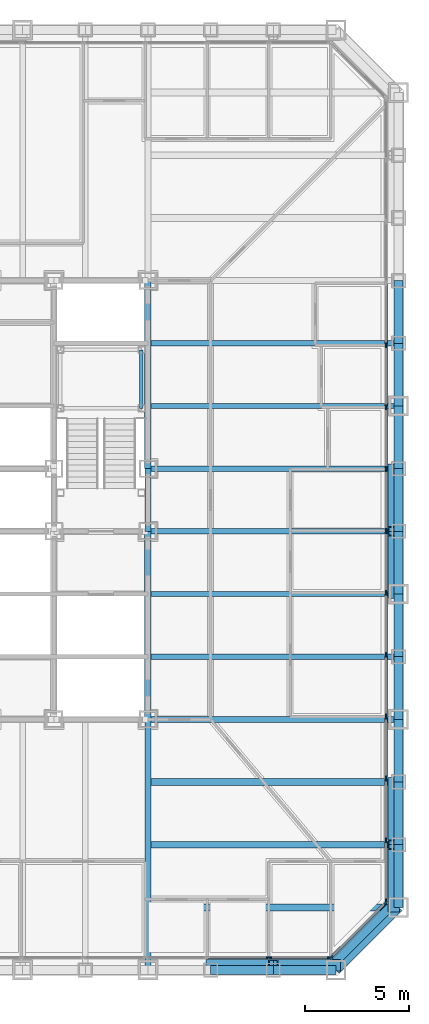
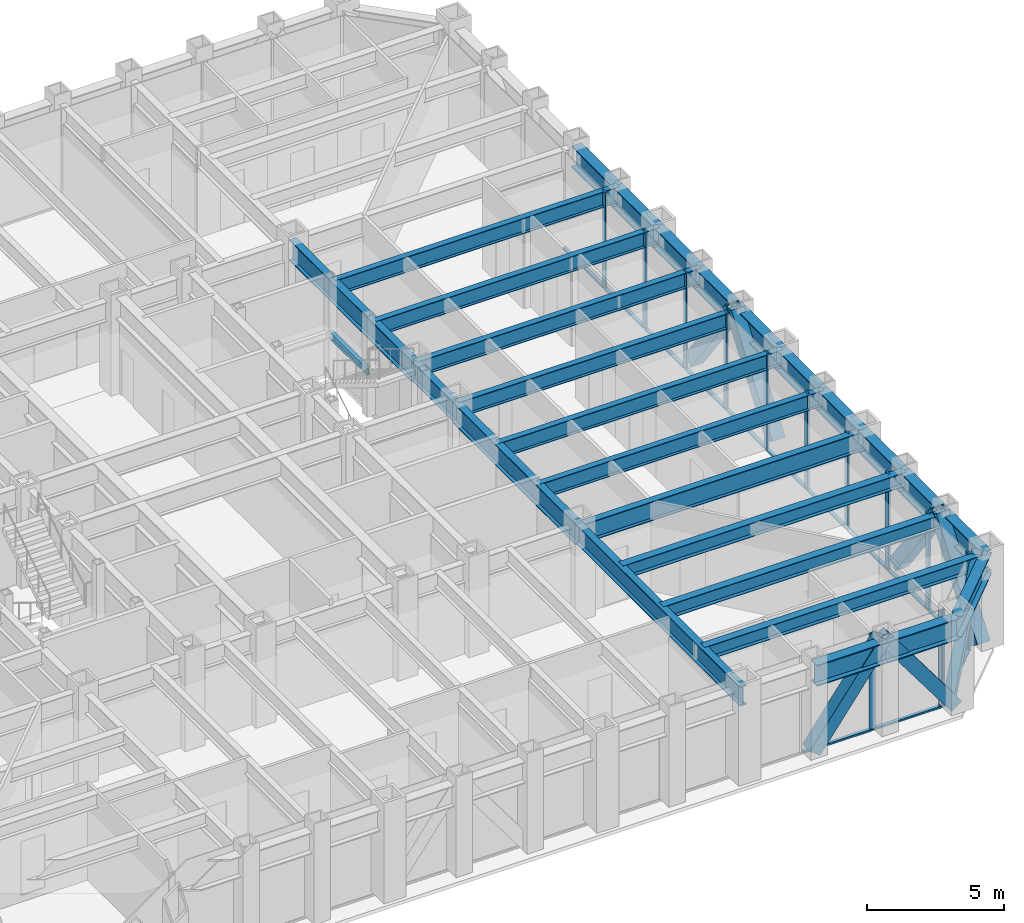
# One storey, part 4 of 16: 34 members, 28 beams, 3 elements without a shape of their own.
"""IFC4 building model written with IfcOpenShell, lengths in metres."""

from ifc_helpers import new_model, si_unit, direction, frame, origin, origin_2d, place, context, subcontext, project, spatial, rectangle, hollow_rectangle, i_section, extrude, material, layer, layer_set, material_profile, profile_set, type_object, element, aggregate, save


model = new_model("IFC4")

# Units and contexts
model_context = context("Model", 3, precision=1e-05, world=origin(), true_north=direction((0.0, 1.0)))
body_context = subcontext(model_context, "Body", "Model", "MODEL_VIEW")
ifc_project = project(units=[si_unit("LENGTHUNIT", "METRE"), si_unit("AREAUNIT", "SQUARE_METRE"), si_unit("VOLUMEUNIT", "CUBIC_METRE"), si_unit("PLANEANGLEUNIT", "RADIAN"), si_unit("MASSUNIT", "GRAM", prefix="KILO")], contexts=[model_context])

# Site, building, storey
site_placement = place(None, origin())
site = spatial("IfcSite", under=ifc_project, at=site_placement, CompositionType="ELEMENT")
building_placement = place(site_placement, origin())
building = spatial("IfcBuilding", under=site, at=building_placement, Name="Chuquiago Exchange Tower", CompositionType="ELEMENT")
storey_placement = place(building_placement, frame((0.0, 0.0, 33.300048828125)))
storey = spatial("IfcBuildingStorey", under=building, at=storey_placement, Name="L06", CompositionType="ELEMENT", Elevation=33.300048828125)

# Beams
ifc_material_1 = material(Name="Steel ASTM A992", Category="steel")
ifc_material_profile_1 = material_profile(ifc_material_1, i_section(OverallWidth=0.307373046875, OverallDepth=0.927001953125, WebThickness=0.01953125, FlangeThickness=0.031982421875, at=origin_2d()), Name="W36X194")
ifc_profile_set_1 = profile_set([ifc_material_profile_1], Name="Steel ASTM A992")
beam_type_1 = type_object("IfcBeamType", Name="B10 W36X194", PredefinedType="BEAM", material=ifc_profile_set_1)
for number, where, z_axis, x_axis, name in (
    (1, (33.0, 12.0, 3.576416015625), (0.0, 1.0, 0.0), (-1.0, 0.0, 0.0), "CB-L07-33_12-33_21"),
    (2, (33.0, 24.0, 3.576416015625), (0.0, 1.0, 0.0), (-1.0, 0.0, 0.0), "CB-L07-33_24-33_33"),
):
    element("IfcBeam", number, at=place(storey_placement, frame(where, z_axis=z_axis, x_axis=x_axis)), inside=storey, type_object=beam_type_1, Name=name, PredefinedType="BEAM", context=body_context, shape_type="SweptSolid", body=[
        extrude(i_section(OverallWidth=0.307373046875, OverallDepth=0.927001953125, WebThickness=0.01953125, FlangeThickness=0.031982421875, at=origin_2d()), origin(), (0.0, 0.0, 1.0), 9.0),
    ])
ifc_material_2 = material(Name="Steel ASTM A992", Category="steel")
ifc_material_profile_2 = material_profile(ifc_material_2, i_section(OverallWidth=0.2919921875, OverallDepth=0.8583984375, WebThickness=0.01708984375, FlangeThickness=0.031005859375, at=origin_2d()), Name="W33X169")
ifc_profile_set_2 = profile_set([ifc_material_profile_2], Name="Steel ASTM A992")
beam_type_2 = type_object("IfcBeamType", Name="B3 W33X169", PredefinedType="BEAM", material=ifc_profile_set_2)
beam_1_placement = place(storey_placement, frame((33.0, 21.0, 3.610595703125), z_axis=(0.0, 1.0, 0.0), x_axis=(-1.0, 0.0, 0.0)))
element("IfcBeam", 3, at=beam_1_placement, inside=storey, type_object=beam_type_2, Name="CB-L07-33_21-33_24", PredefinedType="BEAM", context=body_context, shape_type="SweptSolid", body=[
    extrude(i_section(OverallWidth=0.2919921875, OverallDepth=0.8583984375, WebThickness=0.01708984375, FlangeThickness=0.031005859375, at=origin_2d()), origin(), (0.0, 0.0, 1.0), 3.0),
])
ifc_material_3 = material(Name="Steel ASTM A992", Category="steel")
ifc_material_profile_3 = material_profile(ifc_material_3, i_section(OverallWidth=0.256591796875, OverallDepth=0.693359375, WebThickness=0.014404296875, FlangeThickness=0.023681640625, at=origin_2d()), Name="W27X114")
ifc_profile_set_3 = profile_set([ifc_material_profile_3], Name="Steel ASTM A992")
beam_type_3 = type_object("IfcBeamType", Name="B4 W27X114", PredefinedType="BEAM", material=ifc_profile_set_3)
for number, where, z_axis, x_axis, name in (
    (4, (33.0, 15.0, 3.693359375), (1.0, 0.0, 0.0), (0.0, 1.0, 0.0), "FB-L07-infill-33_15-45_15-0"),
    (5, (33.0, 18.0, 3.693359375), (1.0, 0.0, 0.0), (0.0, 1.0, 0.0), "FB-L07-infill-33_18-45_18-0"),
    (6, (33.0, 21.0, 3.693359375), (1.0, 0.0, 0.0), (0.0, 1.0, 0.0), "FB-L07-infill-33_21-45_21-0"),
    (7, (33.0, 24.0, 3.693359375), (1.0, 0.0, 0.0), (0.0, 1.0, 0.0), "FB-L07-infill-33_24-45_24-0"),
    (8, (33.0, 27.0, 3.693359375), (1.0, 0.0, 0.0), (0.0, 1.0, 0.0), "FB-L07-infill-33_27-45_27-0"),
    (9, (33.0, 30.0, 3.693359375), (1.0, 0.0, 0.0), (0.0, 1.0, 0.0), "FB-L07-infill-33_30-45_30-0"),
):
    element("IfcBeam", number, at=place(storey_placement, frame(where, z_axis=z_axis, x_axis=x_axis)), inside=storey, type_object=beam_type_3, Name=name, PredefinedType="BEAM", context=body_context, shape_type="SweptSolid", body=[
        extrude(i_section(OverallWidth=0.256591796875, OverallDepth=0.693359375, WebThickness=0.014404296875, FlangeThickness=0.023681640625, at=origin_2d()), origin(), (0.0, 0.0, 1.0), 12.0),
    ])
ifc_material_4 = material(Name="Steel ASTM A992", Category="steel")
ifc_material_profile_4 = material_profile(ifc_material_4, i_section(OverallWidth=0.3251953125, OverallDepth=0.6171875, WebThickness=0.013916015625, FlangeThickness=0.021484375, at=origin_2d()), Name="W24X117")
ifc_profile_set_4 = profile_set([ifc_material_profile_4], Name="Steel ASTM A992")
beam_type_4 = type_object("IfcBeamType", Name="B5 W24X117", PredefinedType="BEAM", material=ifc_profile_set_4)
for number, where, z_axis, x_axis, name in (
    (10, (33.0, 3.0, 3.7314453125), (1.0, 0.0, 0.0), (0.0, 1.0, 0.0), "FB-L07-corner-33_3-45_3-0"),
    (11, (33.0, 6.0, 3.7314453125), (1.0, 0.0, 0.0), (0.0, 1.0, 0.0), "FB-L07-corner-33_6-45_6-0"),
    (12, (33.0, 9.0, 3.7314453125), (1.0, 0.0, 0.0), (0.0, 1.0, 0.0), "FB-L07-corner-33_9-45_9-0"),
):
    element("IfcBeam", number, at=place(storey_placement, frame(where, z_axis=z_axis, x_axis=x_axis)), inside=storey, type_object=beam_type_4, Name=name, PredefinedType="BEAM", context=body_context, shape_type="SweptSolid", body=[
        extrude(i_section(OverallWidth=0.3251953125, OverallDepth=0.6171875, WebThickness=0.013916015625, FlangeThickness=0.021484375, at=origin_2d()), origin(), (0.0, 0.0, 1.0), 12.0),
    ])

# Curtain wall, members
ifc_material_5 = material(Name="Aluminium curtain wall system", Category="aluminium")
ifc_layer_1 = layer(ifc_material_5, 0.25)
ifc_layer_set_1 = layer_set([ifc_layer_1], Name="CW1 trading floor curtain wall")
curtain_wall_type_1 = type_object("IfcCurtainWallType", Name="CW1 trading floor curtain wall", PredefinedType="NOTDEFINED", material=ifc_layer_set_1)
curtain_wall_1_placement = place(storey_placement, origin())
curtain_wall_1 = element("IfcCurtainWall", 13, at=curtain_wall_1_placement, inside=storey, type_object=curtain_wall_type_1, Name="CW1 curtain wall L06", PredefinedType="NOTDEFINED")
ifc_material_6 = material(Name="Aluminium mullion, pale anodised", Category="aluminium")
ifc_material_profile_5 = material_profile(ifc_material_6, rectangle(XDim=0.074951171875, YDim=0.25, at=origin_2d()), Name="AL 75x250")
ifc_profile_set_5 = profile_set([ifc_material_profile_5], Name="Aluminium mullion, pale anodised")
member_type_1 = type_object("IfcMemberType", Name="CW1-M mullion 75x250", PredefinedType="MULLION", material=ifc_profile_set_5)
member_1_placement = place(storey_placement, frame((38.789794921875, 0.60009765625, -0.300048828125), z_axis=(0.0, 0.0, 1.0), x_axis=(0.0, 1.0, 0.0)))
member_1 = element("IfcMember", 14, at=member_1_placement, type_object=member_type_1, Name="CW1 mullion 13", PredefinedType="MULLION", context=body_context, shape_type="SweptSolid", body=[
    extrude(rectangle(XDim=0.074951171875, YDim=0.25, at=origin_2d()), origin(), (0.0, 0.0, 1.0), 4.340087890625),
])
member_2_placement = place(storey_placement, frame((41.714111328125, 0.60009765625, -0.300048828125), z_axis=(0.0, 0.0, 1.0), x_axis=(0.0, 1.0, 0.0)))
member_2 = element("IfcMember", 15, at=member_2_placement, type_object=member_type_1, Name="CW1 mullion 14", PredefinedType="MULLION", context=body_context, shape_type="SweptSolid", body=[
    extrude(rectangle(XDim=0.074951171875, YDim=0.25, at=origin_2d()), origin(), (0.0, 0.0, 1.0), 4.340087890625),
])

curtain_wall_2_placement = place(storey_placement, origin())
curtain_wall_2 = element("IfcCurtainWall", 16, at=curtain_wall_2_placement, inside=storey, type_object=curtain_wall_type_1, Name="CW1 curtain wall L06", PredefinedType="NOTDEFINED")
member_3_placement = place(storey_placement, frame((44.39990234375, 3.285888671875, -0.300048828125), z_axis=(0.0, 0.0, 1.0), x_axis=(-1.0, 0.0, 0.0)))
member_3 = element("IfcMember", 17, at=member_3_placement, type_object=member_type_1, Name="CW1 mullion 1", PredefinedType="MULLION", context=body_context, shape_type="SweptSolid", body=[
    extrude(rectangle(XDim=0.074951171875, YDim=0.25, at=origin_2d()), origin(), (0.0, 0.0, 1.0), 4.340087890625),
])
member_4_placement = place(storey_placement, frame((44.39990234375, 6.210205078125, -0.300048828125), z_axis=(0.0, 0.0, 1.0), x_axis=(-1.0, 0.0, 0.0)))
member_4 = element("IfcMember", 18, at=member_4_placement, type_object=member_type_1, Name="CW1 mullion 2", PredefinedType="MULLION", context=body_context, shape_type="SweptSolid", body=[
    extrude(rectangle(XDim=0.074951171875, YDim=0.25, at=origin_2d()), origin(), (0.0, 0.0, 1.0), 4.340087890625),
])
member_5_placement = place(storey_placement, frame((44.39990234375, 9.172119140625, -0.300048828125), z_axis=(0.0, 0.0, 1.0), x_axis=(-1.0, 0.0, 0.0)))
member_5 = element("IfcMember", 19, at=member_5_placement, type_object=member_type_1, Name="CW1 mullion 3", PredefinedType="MULLION", context=body_context, shape_type="SweptSolid", body=[
    extrude(rectangle(XDim=0.074951171875, YDim=0.25, at=origin_2d()), origin(), (0.0, 0.0, 1.0), 4.340087890625),
])
member_6_placement = place(storey_placement, frame((44.39990234375, 12.1337890625, -0.300048828125), z_axis=(0.0, 0.0, 1.0), x_axis=(-1.0, 0.0, 0.0)))
member_6 = element("IfcMember", 20, at=member_6_placement, type_object=member_type_1, Name="CW1 mullion 4", PredefinedType="MULLION", context=body_context, shape_type="SweptSolid", body=[
    extrude(rectangle(XDim=0.074951171875, YDim=0.25, at=origin_2d()), origin(), (0.0, 0.0, 1.0), 4.340087890625),
])
member_7_placement = place(storey_placement, frame((44.39990234375, 15.095458984375, -0.300048828125), z_axis=(0.0, 0.0, 1.0), x_axis=(-1.0, 0.0, 0.0)))
member_7 = element("IfcMember", 21, at=member_7_placement, type_object=member_type_1, Name="CW1 mullion 5", PredefinedType="MULLION", context=body_context, shape_type="SweptSolid", body=[
    extrude(rectangle(XDim=0.074951171875, YDim=0.25, at=origin_2d()), origin(), (0.0, 0.0, 1.0), 4.340087890625),
])
member_8_placement = place(storey_placement, frame((44.39990234375, 18.057373046875, -0.300048828125), z_axis=(0.0, 0.0, 1.0), x_axis=(-1.0, 0.0, 0.0)))
member_8 = element("IfcMember", 22, at=member_8_placement, type_object=member_type_1, Name="CW1 mullion 6", PredefinedType="MULLION", context=body_context, shape_type="SweptSolid", body=[
    extrude(rectangle(XDim=0.074951171875, YDim=0.25, at=origin_2d()), origin(), (0.0, 0.0, 1.0), 4.340087890625),
])
member_9_placement = place(storey_placement, frame((44.39990234375, 21.01904296875, -0.300048828125), z_axis=(0.0, 0.0, 1.0), x_axis=(-1.0, 0.0, 0.0)))
member_9 = element("IfcMember", 23, at=member_9_placement, type_object=member_type_1, Name="CW1 mullion 7", PredefinedType="MULLION", context=body_context, shape_type="SweptSolid", body=[
    extrude(rectangle(XDim=0.074951171875, YDim=0.25, at=origin_2d()), origin(), (0.0, 0.0, 1.0), 4.340087890625),
])
member_10_placement = place(storey_placement, frame((44.39990234375, 23.98095703125, -0.300048828125), z_axis=(0.0, 0.0, 1.0), x_axis=(-1.0, 0.0, 0.0)))
member_10 = element("IfcMember", 24, at=member_10_placement, type_object=member_type_1, Name="CW1 mullion 8", PredefinedType="MULLION", context=body_context, shape_type="SweptSolid", body=[
    extrude(rectangle(XDim=0.074951171875, YDim=0.25, at=origin_2d()), origin(), (0.0, 0.0, 1.0), 4.340087890625),
])
member_11_placement = place(storey_placement, frame((44.39990234375, 26.942626953125, -0.300048828125), z_axis=(0.0, 0.0, 1.0), x_axis=(-1.0, 0.0, 0.0)))
member_11 = element("IfcMember", 25, at=member_11_placement, type_object=member_type_1, Name="CW1 mullion 9", PredefinedType="MULLION", context=body_context, shape_type="SweptSolid", body=[
    extrude(rectangle(XDim=0.074951171875, YDim=0.25, at=origin_2d()), origin(), (0.0, 0.0, 1.0), 4.340087890625),
])
member_12_placement = place(storey_placement, frame((44.39990234375, 29.904541015625, -0.300048828125), z_axis=(0.0, 0.0, 1.0), x_axis=(-1.0, 0.0, 0.0)))
member_12 = element("IfcMember", 26, at=member_12_placement, type_object=member_type_1, Name="CW1 mullion 10", PredefinedType="MULLION", context=body_context, shape_type="SweptSolid", body=[
    extrude(rectangle(XDim=0.074951171875, YDim=0.25, at=origin_2d()), origin(), (0.0, 0.0, 1.0), 4.340087890625),
])

# Member
ifc_material_7 = material(Name="Aluminium transom, pale anodised", Category="aluminium")
ifc_material_profile_6 = material_profile(ifc_material_7, rectangle(XDim=0.14990234375, YDim=0.074951171875, at=origin_2d()), Name="AL 150x75")
ifc_profile_set_6 = profile_set([ifc_material_profile_6], Name="Aluminium transom, pale anodised")
member_type_2 = type_object("IfcMemberType", Name="CW1-T transom 75x150", PredefinedType="MULLION", material=ifc_profile_set_6)
member_13_placement = place(storey_placement, frame((35.865478515625, 0.60009765625, -0.262451171875), z_axis=(1.0, 0.0, 0.0), x_axis=(0.0, 1.0, 0.0)))
member_13 = element("IfcMember", 27, at=member_13_placement, type_object=member_type_2, Name="CW1 transom 12.1", PredefinedType="MULLION", context=body_context, shape_type="SweptSolid", body=[
    extrude(rectangle(XDim=0.14990234375, YDim=0.074951171875, at=origin_2d()), origin(), (0.0, 0.0, 1.0), 2.88671875),
])

member_14_placement = place(storey_placement, frame((38.8271484375, 0.60009765625, -0.262451171875), z_axis=(1.0, 0.0, 0.0), x_axis=(0.0, 1.0, 0.0)))
member_14 = element("IfcMember", 28, at=member_14_placement, type_object=member_type_2, Name="CW1 transom 13.1", PredefinedType="MULLION", context=body_context, shape_type="SweptSolid", body=[
    extrude(rectangle(XDim=0.14990234375, YDim=0.074951171875, at=origin_2d()), origin(), (0.0, 0.0, 1.0), 2.849365234375),
])

aggregate(curtain_wall_1, [member_1, member_2, member_13, member_14])

member_15_placement = place(storey_placement, frame((44.39990234375, 3.323486328125, -0.262451171875), z_axis=(0.0, 1.0, 0.0), x_axis=(-1.0, 0.0, 0.0)))
member_15 = element("IfcMember", 29, at=member_15_placement, type_object=member_type_2, Name="CW1 transom 1.1", PredefinedType="MULLION", context=body_context, shape_type="SweptSolid", body=[
    extrude(rectangle(XDim=0.14990234375, YDim=0.074951171875, at=origin_2d()), origin(), (0.0, 0.0, 1.0), 2.849365234375),
])

member_16_placement = place(storey_placement, frame((44.39990234375, 6.247802734375, -0.262451171875), z_axis=(0.0, 1.0, 0.0), x_axis=(-1.0, 0.0, 0.0)))
member_16 = element("IfcMember", 30, at=member_16_placement, type_object=member_type_2, Name="CW1 transom 2.1", PredefinedType="MULLION", context=body_context, shape_type="SweptSolid", body=[
    extrude(rectangle(XDim=0.14990234375, YDim=0.074951171875, at=origin_2d()), origin(), (0.0, 0.0, 1.0), 2.88671875),
])

member_17_placement = place(storey_placement, frame((44.39990234375, 9.20947265625, -0.262451171875), z_axis=(0.0, 1.0, 0.0), x_axis=(-1.0, 0.0, 0.0)))
member_17 = element("IfcMember", 31, at=member_17_placement, type_object=member_type_2, Name="CW1 transom 3.1", PredefinedType="MULLION", context=body_context, shape_type="SweptSolid", body=[
    extrude(rectangle(XDim=0.14990234375, YDim=0.074951171875, at=origin_2d()), origin(), (0.0, 0.0, 1.0), 2.88671875),
])

member_18_placement = place(storey_placement, frame((44.39990234375, 12.17138671875, -0.262451171875), z_axis=(0.0, 1.0, 0.0), x_axis=(-1.0, 0.0, 0.0)))
member_18 = element("IfcMember", 32, at=member_18_placement, type_object=member_type_2, Name="CW1 transom 4.1", PredefinedType="MULLION", context=body_context, shape_type="SweptSolid", body=[
    extrude(rectangle(XDim=0.14990234375, YDim=0.074951171875, at=origin_2d()), origin(), (0.0, 0.0, 1.0), 2.88671875),
])

member_19_placement = place(storey_placement, frame((44.39990234375, 15.133056640625, -0.262451171875), z_axis=(0.0, 1.0, 0.0), x_axis=(-1.0, 0.0, 0.0)))
member_19 = element("IfcMember", 33, at=member_19_placement, type_object=member_type_2, Name="CW1 transom 5.1", PredefinedType="MULLION", context=body_context, shape_type="SweptSolid", body=[
    extrude(rectangle(XDim=0.14990234375, YDim=0.074951171875, at=origin_2d()), origin(), (0.0, 0.0, 1.0), 2.88671875),
])

member_20_placement = place(storey_placement, frame((44.39990234375, 18.0947265625, -0.262451171875), z_axis=(0.0, 1.0, 0.0), x_axis=(-1.0, 0.0, 0.0)))
member_20 = element("IfcMember", 34, at=member_20_placement, type_object=member_type_2, Name="CW1 transom 6.1", PredefinedType="MULLION", context=body_context, shape_type="SweptSolid", body=[
    extrude(rectangle(XDim=0.14990234375, YDim=0.074951171875, at=origin_2d()), origin(), (0.0, 0.0, 1.0), 2.886962890625),
])

member_21_placement = place(storey_placement, frame((44.39990234375, 21.056640625, -0.262451171875), z_axis=(0.0, 1.0, 0.0), x_axis=(-1.0, 0.0, 0.0)))
member_21 = element("IfcMember", 35, at=member_21_placement, type_object=member_type_2, Name="CW1 transom 7.1", PredefinedType="MULLION", context=body_context, shape_type="SweptSolid", body=[
    extrude(rectangle(XDim=0.14990234375, YDim=0.074951171875, at=origin_2d()), origin(), (0.0, 0.0, 1.0), 2.88671875),
])

member_22_placement = place(storey_placement, frame((44.39990234375, 24.018310546875, -0.262451171875), z_axis=(0.0, 1.0, 0.0), x_axis=(-1.0, 0.0, 0.0)))
member_22 = element("IfcMember", 36, at=member_22_placement, type_object=member_type_2, Name="CW1 transom 8.1", PredefinedType="MULLION", context=body_context, shape_type="SweptSolid", body=[
    extrude(rectangle(XDim=0.14990234375, YDim=0.074951171875, at=origin_2d()), origin(), (0.0, 0.0, 1.0), 2.886962890625),
])

member_23_placement = place(storey_placement, frame((44.39990234375, 26.980224609375, -0.262451171875), z_axis=(0.0, 1.0, 0.0), x_axis=(-1.0, 0.0, 0.0)))
member_23 = element("IfcMember", 37, at=member_23_placement, type_object=member_type_2, Name="CW1 transom 9.1", PredefinedType="MULLION", context=body_context, shape_type="SweptSolid", body=[
    extrude(rectangle(XDim=0.14990234375, YDim=0.074951171875, at=origin_2d()), origin(), (0.0, 0.0, 1.0), 2.88671875),
])

member_24_placement = place(storey_placement, frame((44.39990234375, 29.94189453125, -0.262451171875), z_axis=(0.0, 1.0, 0.0), x_axis=(-1.0, 0.0, 0.0)))
member_24 = element("IfcMember", 38, at=member_24_placement, type_object=member_type_2, Name="CW1 transom 10.1", PredefinedType="MULLION", context=body_context, shape_type="SweptSolid", body=[
    extrude(rectangle(XDim=0.14990234375, YDim=0.074951171875, at=origin_2d()), origin(), (0.0, 0.0, 1.0), 2.88671875),
])

aggregate(curtain_wall_2, [member_3, member_4, member_5, member_6, member_7, member_8, member_9, member_10, member_11, member_12, member_15, member_16, member_17, member_18, member_19, member_20, member_21, member_22, member_23, member_24])

# Curtain wall, members
ifc_material_8 = material(Name="Aluminium curtain wall system", Category="aluminium")
ifc_layer_2 = layer(ifc_material_8, 0.199951171875)
ifc_layer_set_2 = layer_set([ifc_layer_2], Name="CW3 facet curtain wall")
curtain_wall_type_2 = type_object("IfcCurtainWallType", Name="CW3 facet curtain wall", PredefinedType="NOTDEFINED", material=ifc_layer_set_2)
curtain_wall_3_placement = place(storey_placement, origin())
curtain_wall_3 = element("IfcCurtainWall", 39, at=curtain_wall_3_placement, inside=storey, type_object=curtain_wall_type_2, Name="CW3 curtain wall L06", PredefinedType="NOTDEFINED")
ifc_material_9 = material(Name="Aluminium mullion, pale anodised", Category="aluminium")
ifc_material_profile_7 = material_profile(ifc_material_9, rectangle(XDim=0.06494140625, YDim=0.199951171875, at=origin_2d()), Name="AL 65x200")
ifc_profile_set_7 = profile_set([ifc_material_profile_7], Name="Aluminium mullion, pale anodised")
member_type_3 = type_object("IfcMemberType", Name="CW3-M mullion 65x200", PredefinedType="MULLION", material=ifc_profile_set_7)
member_25_placement = place(storey_placement, frame((41.7744140625, 0.623046875, -0.300048828125), z_axis=(0.0, 0.0, 1.0), x_axis=(-0.707106781187, 0.707106781187, 0.0)))
member_25 = element("IfcMember", 40, at=member_25_placement, type_object=member_type_3, Name="CW3 mullion 1", PredefinedType="MULLION", context=body_context, shape_type="SweptSolid", body=[
    extrude(rectangle(XDim=0.06494140625, YDim=0.199951171875, at=origin_2d()), origin(), (0.0, 0.0, 1.0), 4.340087890625),
])
member_26_placement = place(storey_placement, frame((44.376953125, 3.2255859375, -0.300048828125), z_axis=(0.0, 0.0, 1.0), x_axis=(-0.707106781187, 0.707106781187, 0.0)))
member_26 = element("IfcMember", 41, at=member_26_placement, type_object=member_type_3, Name="CW3 mullion 2", PredefinedType="MULLION", context=body_context, shape_type="SweptSolid", body=[
    extrude(rectangle(XDim=0.06494140625, YDim=0.199951171875, at=origin_2d()), origin(), (0.0, 0.0, 1.0), 4.340087890625),
])
ifc_material_10 = material(Name="Aluminium transom, pale anodised", Category="aluminium")
ifc_material_profile_8 = material_profile(ifc_material_10, rectangle(XDim=0.139892578125, YDim=0.06494140625, at=origin_2d()), Name="AL 140x65")
ifc_profile_set_8 = profile_set([ifc_material_profile_8], Name="Aluminium transom, pale anodised")
member_type_4 = type_object("IfcMemberType", Name="CW3-T transom 65x140", PredefinedType="MULLION", material=ifc_profile_set_8)
member_27_placement = place(storey_placement, frame((41.79736328125, 0.64599609375, -0.267578125), z_axis=(0.707106781187, 0.707106781187, 0.0), x_axis=(-0.707106781187, 0.707106781187, 0.0)))
member_27 = element("IfcMember", 42, at=member_27_placement, type_object=member_type_4, Name="CW3 transom 1.1", PredefinedType="MULLION", context=body_context, shape_type="SweptSolid", body=[
    extrude(rectangle(XDim=0.139892578125, YDim=0.06494140625, at=origin_2d()), origin(), (0.0, 0.0, 1.0), 3.61572265625),
])
aggregate(curtain_wall_3, [member_25, member_26, member_27])

# Beams
ifc_material_11 = material(Name="Steel ASTM A992", Category="steel")
ifc_material_profile_9 = material_profile(ifc_material_11, i_section(OverallWidth=0.2919921875, OverallDepth=0.8583984375, WebThickness=0.01708984375, FlangeThickness=0.031005859375, at=origin_2d()), Name="W33X169")
ifc_profile_set_9 = profile_set([ifc_material_profile_9], Name="Steel ASTM A992")
beam_type_5 = type_object("IfcBeamType", Name="G2 W33X169", PredefinedType="BEAM", material=ifc_profile_set_9)
for number, where, z_axis, x_axis, name in (
    (43, (33.0, 12.0, 3.610595703125), (0.0, -1.0, 0.0), (1.0, 0.0, 0.0), "FB-L07-girder-33_12-33_-0-0"),
    (44, (33.0, 12.0, 3.610595703125), (1.0, 0.0, 0.0), (0.0, 1.0, 0.0), "FB-L07-girder-33_12-45_12-0"),
):
    element("IfcBeam", number, at=place(storey_placement, frame(where, z_axis=z_axis, x_axis=x_axis)), inside=storey, type_object=beam_type_5, Name=name, PredefinedType="BEAM", context=body_context, shape_type="SweptSolid", body=[
        extrude(i_section(OverallWidth=0.2919921875, OverallDepth=0.8583984375, WebThickness=0.01708984375, FlangeThickness=0.031005859375, at=origin_2d()), origin(), (0.0, 0.0, 1.0), 12.0),
    ])

# Member
ifc_material_12 = material(Name="Steel ASTM A500 Grade C", Category="steel")
ifc_material_profile_10 = material_profile(ifc_material_12, hollow_rectangle(XDim=0.406494140625, YDim=0.406494140625, WallThickness=0.0146484375, at=origin_2d()), Name="HSS16X16X5/8")
ifc_profile_set_10 = profile_set([ifc_material_profile_10], Name="Steel ASTM A500 Grade C")
member_type_5 = type_object("IfcMemberType", Name="LB4 HSS16X16X5/8", PredefinedType="BRACE", material=ifc_profile_set_10)
member_28_placement = place(storey_placement, frame((41.78662109375, 0.21337890625, 0.0), z_axis=(0.512077265487, 0.512077265487, 0.689604051861), x_axis=(-0.707106781187, 0.707106781187, 0.0)))
element("IfcMember", 45, at=member_28_placement, inside=storey, type_object=member_type_5, Name="LB-L06-42_0-45_3", PredefinedType="BRACE", context=body_context, shape_type="SweptSolid", body=[
    extrude(hollow_rectangle(XDim=0.406494140625, YDim=0.406494140625, WallThickness=0.0146484375, at=origin_2d()), origin(), (0.0, 0.0, 1.0), 5.8583984375),
])

# Beam
ifc_material_13 = material(Name="Steel ASTM A992", Category="steel")
ifc_material_profile_11 = material_profile(ifc_material_13, i_section(OverallWidth=0.164794921875, OverallDepth=0.309814453125, WebThickness=0.005859375, FlangeThickness=0.009765625, at=origin_2d()), Name="W12X26")
ifc_profile_set_11 = profile_set([ifc_material_profile_11], Name="Steel ASTM A992")
beam_type_6 = type_object("IfcBeamType", Name="LS1 W12X26", PredefinedType="BEAM", material=ifc_profile_set_11)
beam_2_placement = place(storey_placement, frame((32.68994140625, 26.889892578125, 1.89501953125), z_axis=(0.0, 1.0, 0.0), x_axis=(-1.0, 0.0, 0.0)))
element("IfcBeam", 46, at=beam_2_placement, inside=storey, type_object=beam_type_6, Name="Stair ST2 L06 landing 1 stringer", PredefinedType="BEAM", context=body_context, shape_type="SweptSolid", body=[
    extrude(i_section(OverallWidth=0.164794921875, OverallDepth=0.309814453125, WebThickness=0.005859375, FlangeThickness=0.009765625, at=origin_2d()), origin(), (0.0, 0.0, 1.0), 2.800048828125),
])

# Members
ifc_material_14 = material(Name="Steel ASTM A572 Grade 50", Category="steel")
ifc_material_profile_12 = material_profile(ifc_material_14, hollow_rectangle(XDim=0.550048828125, YDim=0.550048828125, WallThickness=0.044921875, at=origin_2d()), Name="BOX550X550X45")
ifc_profile_set_12 = profile_set([ifc_material_profile_12], Name="Steel ASTM A572 Grade 50")
member_type_6 = type_object("IfcMemberType", Name="MB1 BOX550X550X45", PredefinedType="BRACE", material=ifc_profile_set_12)
for number, where, z_axis, x_axis, name in (
    (47, (36.0, 0.22998046875, 0.0), (0.596173923302, 0.0, 0.802855312728), (0.0, 1.0, 0.0), "Mega diagonal L06 S face"),
    (48, (42.0, 0.22998046875, 0.0), (-0.596173923302, 0.0, 0.802855312728), (0.0, -1.0, 0.0), "Mega diagonal L06 S face"),
    (49, (44.77001953125, 3.0, 0.0), (0.0, 0.596173923302, 0.802855312728), (-1.0, 0.0, 0.0), "Mega diagonal L06 E face"),
    (50, (44.77001953125, 9.0, 0.0), (0.0, -0.596173923302, 0.802855312728), (1.0, 0.0, 0.0), "Mega diagonal L06 E face"),
    (51, (44.77001953125, 18.0, 0.0), (0.0, 0.596173923302, 0.802855312728), (-1.0, 0.0, 0.0), "Mega diagonal L06 E face"),
    (52, (44.77001953125, 24.0, 0.0), (0.0, -0.596173923302, 0.802855312728), (1.0, 0.0, 0.0), "Mega diagonal L06 E face"),
):
    element("IfcMember", number, at=place(storey_placement, frame(where, z_axis=z_axis, x_axis=x_axis)), inside=storey, type_object=member_type_6, Name=name, PredefinedType="BRACE", context=body_context, shape_type="SweptSolid", body=[
        extrude(hollow_rectangle(XDim=0.550048828125, YDim=0.550048828125, WallThickness=0.044921875, at=origin_2d()), origin(), (0.0, 0.0, 1.0), 5.031982421875),
    ])

# Beams
ifc_material_15 = material(Name="Steel ASTM A992", Category="steel")
ifc_material_profile_13 = material_profile(ifc_material_15, i_section(OverallWidth=0.424072265625, OverallDepth=0.947509765625, WebThickness=0.02392578125, FlangeThickness=0.042724609375, at=origin_2d()), Name="W36X302")
ifc_profile_set_13 = profile_set([ifc_material_profile_13], Name="Steel ASTM A992")
beam_type_7 = type_object("IfcBeamType", Name="SP1 W36X302", PredefinedType="SPANDREL", material=ifc_profile_set_13)
for number, where, z_axis, x_axis, name in (
    (53, (36.0, 0.0, 3.566162109375), (1.0, 0.0, 0.0), (0.0, 1.0, 0.0), "SPB-L07-36_0-39_0"),
    (54, (39.0, 0.0, 3.566162109375), (1.0, 0.0, 0.0), (0.0, 1.0, 0.0), "SPB-L07-39_0-42_0"),
):
    element("IfcBeam", number, at=place(storey_placement, frame(where, z_axis=z_axis, x_axis=x_axis)), inside=storey, type_object=beam_type_7, Name=name, PredefinedType="SPANDREL", context=body_context, shape_type="SweptSolid", body=[
        extrude(i_section(OverallWidth=0.424072265625, OverallDepth=0.947509765625, WebThickness=0.02392578125, FlangeThickness=0.042724609375, at=origin_2d()), origin(), (0.0, 0.0, 1.0), 3.0),
    ])
beam_3_placement = place(storey_placement, frame((42.0, 0.0, 3.566162109375), z_axis=(0.707106781187, 0.707106781187, 0.0), x_axis=(-0.707106781187, 0.707106781187, 0.0)))
element("IfcBeam", 55, at=beam_3_placement, inside=storey, type_object=beam_type_7, Name="SPB-L07-42_0-45_3", PredefinedType="SPANDREL", context=body_context, shape_type="SweptSolid", body=[
    extrude(i_section(OverallWidth=0.424072265625, OverallDepth=0.947509765625, WebThickness=0.02392578125, FlangeThickness=0.042724609375, at=origin_2d()), origin(), (0.0, 0.0, 1.0), 4.24267578125),
])
for number, where, z_axis, x_axis, name in (
    (56, (45.0, 3.0, 3.566162109375), (0.0, 1.0, 0.0), (-1.0, 0.0, 0.0), "SPB-L07-45_3-45_6"),
    (57, (45.0, 6.0, 3.566162109375), (0.0, 1.0, 0.0), (-1.0, 0.0, 0.0), "SPB-L07-45_6-45_9"),
    (58, (45.0, 9.0, 3.566162109375), (0.0, 1.0, 0.0), (-1.0, 0.0, 0.0), "SPB-L07-45_9-45_12"),
    (59, (45.0, 12.0, 3.566162109375), (0.0, 1.0, 0.0), (-1.0, 0.0, 0.0), "SPB-L07-45_12-45_15"),
    (60, (45.0, 15.0, 3.566162109375), (0.0, 1.0, 0.0), (-1.0, 0.0, 0.0), "SPB-L07-45_15-45_18"),
    (61, (45.0, 18.0, 3.566162109375), (0.0, 1.0, 0.0), (-1.0, 0.0, 0.0), "SPB-L07-45_18-45_21"),
    (62, (45.0, 21.0, 3.566162109375), (0.0, 1.0, 0.0), (-1.0, 0.0, 0.0), "SPB-L07-45_21-45_24"),
    (63, (45.0, 24.0, 3.566162109375), (0.0, 1.0, 0.0), (-1.0, 0.0, 0.0), "SPB-L07-45_24-45_27"),
    (64, (45.0, 27.0, 3.566162109375), (0.0, 1.0, 0.0), (-1.0, 0.0, 0.0), "SPB-L07-45_27-45_30"),
    (65, (45.0, 30.0, 3.566162109375), (0.0, 1.0, 0.0), (-1.0, 0.0, 0.0), "SPB-L07-45_30-45_33"),
):
    element("IfcBeam", number, at=place(storey_placement, frame(where, z_axis=z_axis, x_axis=x_axis)), inside=storey, type_object=beam_type_7, Name=name, PredefinedType="SPANDREL", context=body_context, shape_type="SweptSolid", body=[
        extrude(i_section(OverallWidth=0.424072265625, OverallDepth=0.947509765625, WebThickness=0.02392578125, FlangeThickness=0.042724609375, at=origin_2d()), origin(), (0.0, 0.0, 1.0), 3.0),
    ])

save(model, "model.ifc")
